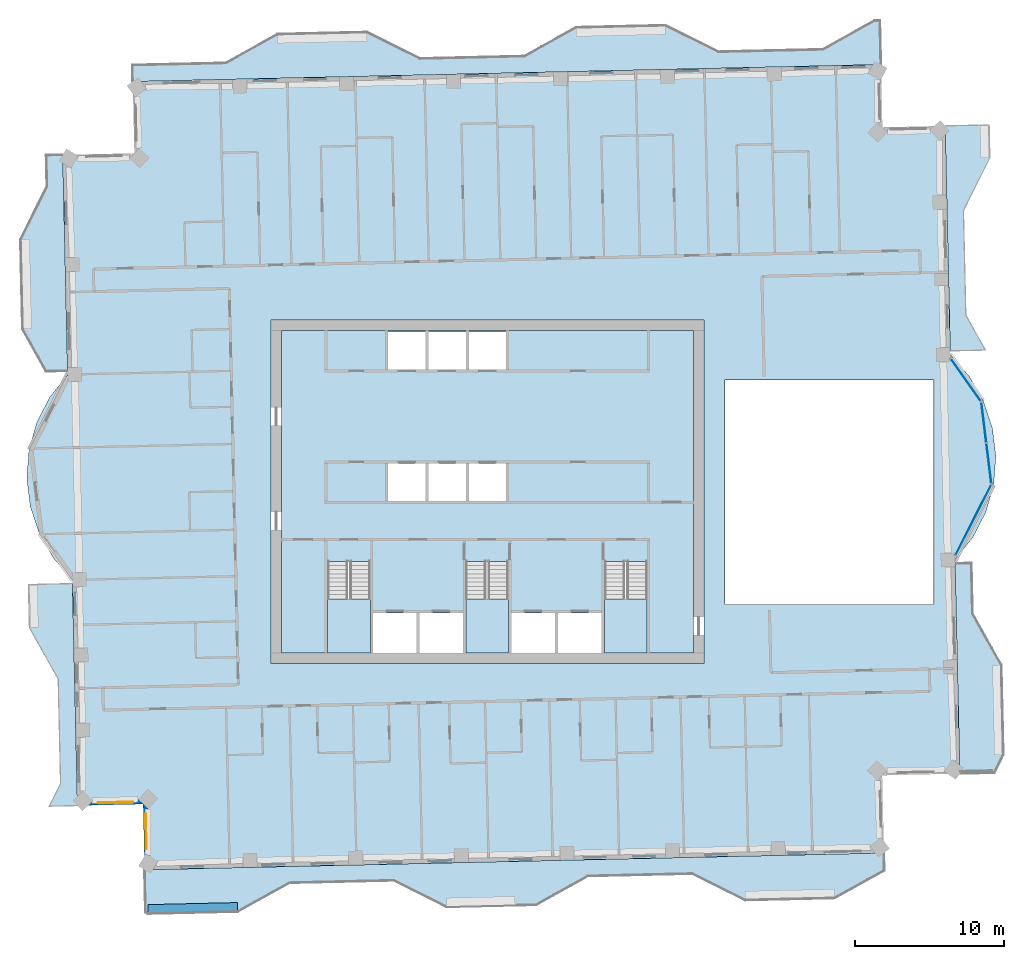
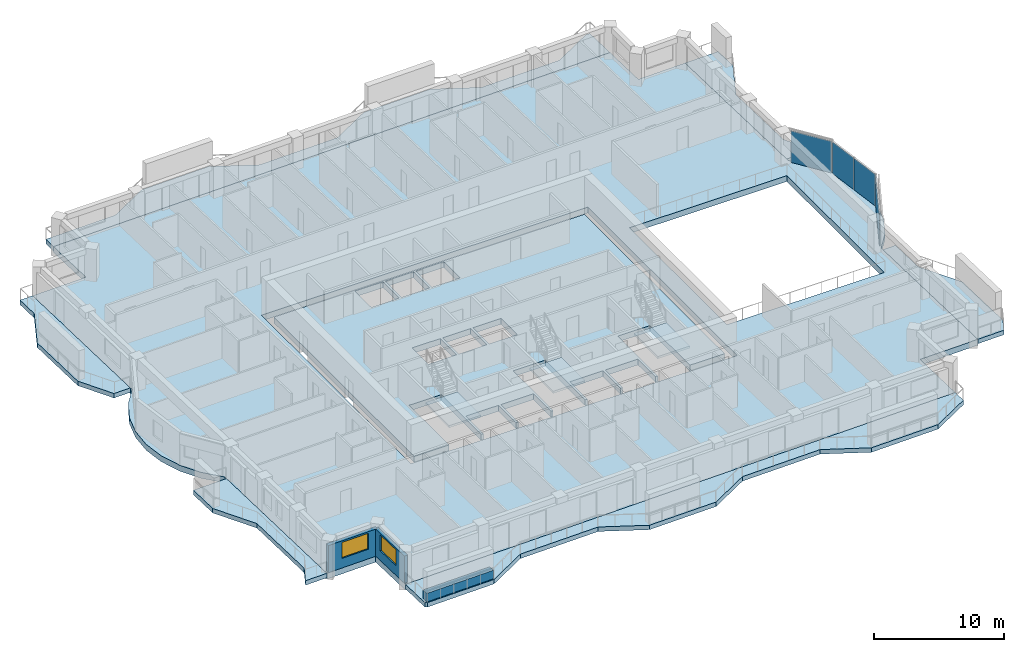
# One storey, part 7 of 19: 11 slabs, 4 plates, 3 walls, 2 windows, 2 openings, 6 elements without a shape of their own.
"""IFC4 building model written with IfcOpenShell, lengths in metres."""

from ifc_helpers import new_model, si_unit, direction, frame, frame_2d, origin, origin_2d, place, context, subcontext, project, spatial, polyline, rectangle, outline, extrude, material, layer, layer_set, type_object, element, fill, aggregate, save


model = new_model("IFC4")

# Units and contexts
model_context = context("Model", 3, precision=1e-05, world=origin(), true_north=direction((0.0, 1.0)))
body_context = subcontext(model_context, "Body", "Model", "MODEL_VIEW")
ifc_project = project(units=[si_unit("LENGTHUNIT", "METRE"), si_unit("AREAUNIT", "SQUARE_METRE"), si_unit("VOLUMEUNIT", "CUBIC_METRE"), si_unit("PLANEANGLEUNIT", "RADIAN"), si_unit("MASSUNIT", "GRAM", prefix="KILO")], contexts=[model_context])

# Site, building, storey
site_placement = place(None, origin())
site = spatial("IfcSite", under=ifc_project, at=site_placement, CompositionType="ELEMENT")
building_placement = place(site_placement, origin())
building = spatial("IfcBuilding", under=site, at=building_placement, Name="Mangrove Gate Tower", CompositionType="ELEMENT")
storey_placement = place(building_placement, frame((0.0, 0.0, 283.5)))
storey = spatial("IfcBuildingStorey", under=building, at=storey_placement, Name="L72", CompositionType="ELEMENT", Elevation=283.5)

# Curtain wall, plate
ifc_material_1 = material(Name="Aluminium and glass curtain wall", Category="aluminium")
curtain_wall_type = type_object("IfcCurtainWallType", Name="Atrium garden-court glazing wall", PredefinedType="NOTDEFINED", material=ifc_material_1)
curtain_wall_1_placement = place(storey_placement, origin())
curtain_wall_1 = element("IfcCurtainWall", 1, at=curtain_wall_1_placement, inside=storey, type_object=curtain_wall_type, Name="Atrium garden-court glazing E1f1", PredefinedType="NOTDEFINED")
ifc_material_2 = material(Name="Laminated low-e glass", Category="glass")
ifc_layer_1 = layer(ifc_material_2, 0.031982421875)
ifc_layer_set_1 = layer_set([ifc_layer_1], Name="Atrium garden-court glazing panel 32")
plate_type = type_object("IfcPlateType", Name="Atrium garden-court glazing panel 32", PredefinedType="CURTAIN_PANEL", material=ifc_layer_set_1)
plate_1_placement = place(storey_placement, frame((32.542236328125, -1.90087890625, 0.0), z_axis=(0.0, 0.0, 1.0), x_axis=(0.452617386511, 0.891704828644, 0.0)))
plate_1 = element("IfcPlate", 2, at=plate_1_placement, type_object=plate_type, Name="CWA panel 1.1", PredefinedType="CURTAIN_PANEL", context=body_context, shape_type="SweptSolid", body=[
    extrude(rectangle(XDim=5.258544921875, YDim=0.031982421875, at=origin_2d()), origin(), (0.0, 0.0, 1.0), 2.97998046875),
])
aggregate(curtain_wall_1, [plate_1])

# Curtain wall, plates
curtain_wall_2_placement = place(storey_placement, origin())
curtain_wall_2 = element("IfcCurtainWall", 3, at=curtain_wall_2_placement, inside=storey, type_object=curtain_wall_type, Name="Atrium garden-court glazing E1f2", PredefinedType="NOTDEFINED")
plate_2_placement = place(storey_placement, frame((33.591552734375, 1.90625, 0.0), z_axis=(0.0, 0.0, 1.0), x_axis=(-0.122172285885, 0.992508908051, 0.0)))
plate_2 = element("IfcPlate", 4, at=plate_2_placement, type_object=plate_type, Name="CWA panel 1.1", PredefinedType="CURTAIN_PANEL", context=body_context, shape_type="SweptSolid", body=[
    extrude(rectangle(XDim=2.681640625, YDim=0.031982421875, at=origin_2d()), origin(), (0.0, 0.0, 1.0), 2.97998046875),
])
plate_3_placement = place(storey_placement, frame((33.25537109375, 4.637451171875, 0.0), z_axis=(0.0, 0.0, 1.0), x_axis=(-0.122172285885, 0.992508908051, 0.0)))
plate_3 = element("IfcPlate", 5, at=plate_3_placement, type_object=plate_type, Name="CWA panel 2.1", PredefinedType="CURTAIN_PANEL", context=body_context, shape_type="SweptSolid", body=[
    extrude(rectangle(XDim=2.681640625, YDim=0.031982421875, at=origin_2d()), origin(), (0.0, 0.0, 1.0), 2.97998046875),
])
aggregate(curtain_wall_2, [plate_2, plate_3])

# Curtain wall, plate
curtain_wall_3_placement = place(storey_placement, origin())
curtain_wall_3 = element("IfcCurtainWall", 6, at=curtain_wall_3_placement, inside=storey, type_object=curtain_wall_type, Name="Atrium garden-court glazing E1f3", PredefinedType="NOTDEFINED")
plate_4_placement = place(storey_placement, frame((32.05126953125, 7.493896484375, 0.0), z_axis=(0.0, 0.0, 1.0), x_axis=(-0.578135022674, 0.815941110349, 0.0)))
plate_4 = element("IfcPlate", 7, at=plate_4_placement, type_object=plate_type, Name="CWA panel 1.1", PredefinedType="CURTAIN_PANEL", context=body_context, shape_type="SweptSolid", body=[
    extrude(rectangle(XDim=3.42919921875, YDim=0.031982421875, at=origin_2d()), origin(), (0.0, 0.0, 1.0), 2.97998046875),
])
aggregate(curtain_wall_3, [plate_4])

# Slabs
ifc_material_3 = material(Name="Porcelain tile")
ifc_layer_2 = layer(ifc_material_3, 0.02001953125, Name="Tile finish")
ifc_material_4 = material(Name="Cement sand screed")
ifc_layer_3 = layer(ifc_material_4, 0.0400390625, Name="Screed laid to falls")
ifc_material_5 = material(Name="Bituminous waterproofing membrane")
ifc_layer_4 = layer(ifc_material_5, 0.00390625, Name="Waterproofing")
ifc_material_6 = material(Name="Concrete C40/50", Category="concrete")
ifc_layer_5 = layer(ifc_material_6, 0.340087890625, Name="Balcony structural slab")
ifc_material_7 = material(Name="Limestone", Category="masonry")
ifc_layer_6 = layer(ifc_material_7, 0.01611328125, Name="Soffit lining")
ifc_layer_set_2 = layer_set([ifc_layer_2, ifc_layer_3, ifc_layer_4, ifc_layer_5, ifc_layer_6], Name="Balcony slab 420 C40/50")
slab_type_1 = type_object("IfcSlabType", Name="Balcony slab 420 C40/50", PredefinedType="FLOOR", material=ifc_layer_set_2)
slab_1_placement = place(storey_placement, frame((0.0, 0.0, -0.419921875)))
element("IfcSlab", 8, at=slab_1_placement, inside=storey, type_object=slab_type_1, Name="BALCONY L72 E0", PredefinedType="FLOOR", context=body_context, shape_type="SweptSolid", body=[
    extrude(outline(polyline([(33.99609375, -18.820068359375), (34.60302734375, -17.60595703125), (34.467041015625, -11.60791015625), (32.5380859375, -8.15087890625), (32.4619140625, -4.777099609375), (31.322021484375, -4.802978515625), (31.39892578125, -8.176025390625), (31.47802734375, -11.676025390625), (31.614013671875, -17.674072265625), (31.64111328125, -18.8740234375), (33.99609375, -18.820068359375)])), origin(), (0.0, 0.0, 1.0), 0.419921875),
])
slab_2_placement = place(storey_placement, frame((0.0, 0.0, -0.419921875)))
element("IfcSlab", 9, at=slab_2_placement, inside=storey, type_object=slab_type_1, Name="BALCONY L72 E1", PredefinedType="FLOOR", context=body_context, shape_type="SweptSolid", body=[
    extrude(outline(polyline([(33.39306640625, 9.4990234375), (32.0849609375, 11.843994140625), (31.926025390625, 18.842041015625), (33.696044921875, 22.384033203125), (33.64599609375, 24.5830078125), (30.656982421875, 24.514892578125), (30.70703125, 22.31591796875), (30.785888671875, 18.81689453125), (30.945068359375, 11.818115234375), (30.9990234375, 9.444091796875), (33.39306640625, 9.4990234375)])), origin(), (0.0, 0.0, 1.0), 0.419921875),
])
slab_3_placement = place(storey_placement, frame((0.0, 0.0, -0.419921875)))
element("IfcSlab", 10, at=slab_3_placement, inside=storey, type_object=slab_type_1, Name="BALCONY L72 N0", PredefinedType="FLOOR", context=body_context, shape_type="SweptSolid", body=[
    extrude(outline(polyline([(26.294921875, 31.60791015625), (25.927001953125, 31.60009765625), (22.469970703125, 29.6708984375), (15.470947265625, 29.511962890625), (11.929931640625, 31.281982421875), (5.931884765625, 31.14599609375), (2.47509765625, 29.217041015625), (-4.52294921875, 29.05908203125), (-8.06396484375, 30.827880859375), (-14.06298828125, 30.69189453125), (-17.52001953125, 28.762939453125), (-23.785888671875, 28.62109375), (-23.760986328125, 27.48095703125), (-4.498046875, 27.91796875), (6.0, 28.156982421875), (26.363037109375, 28.618896484375), (26.294921875, 31.60791015625)])), origin(), (0.0, 0.0, 1.0), 0.419921875),
])
slab_4_placement = place(storey_placement, frame((0.0, 0.0, -0.419921875)))
element("IfcSlab", 11, at=slab_4_placement, inside=storey, type_object=slab_type_1, Name="BALCONY L72 W0", PredefinedType="FLOOR", context=body_context, shape_type="SweptSolid", body=[
    extrude(outline(polyline([(-29.590087890625, 22.548095703125), (-29.5419921875, 20.447998046875), (-31.31298828125, 16.906982421875), (-31.176025390625, 10.908935546875), (-29.592041015625, 8.069091796875), (-28.1220703125, 8.10302734375), (-28.18701171875, 10.97705078125), (-28.322998046875, 16.97509765625), (-28.403076171875, 20.47412109375), (-28.449951171875, 22.573974609375), (-29.590087890625, 22.548095703125)])), origin(), (0.0, 0.0, 1.0), 0.419921875),
])
slab_5_placement = place(storey_placement, frame((0.0, 0.0, -0.419921875)))
element("IfcSlab", 12, at=slab_5_placement, inside=storey, type_object=slab_type_1, Name="BALCONY L72 W1", PredefinedType="FLOOR", context=body_context, shape_type="SweptSolid", body=[
    extrude(outline(polyline([(-30.7880859375, -6.2119140625), (-30.722900390625, -9.0859375), (-28.7939453125, -12.54296875), (-28.635009765625, -19.541015625), (-29.39404296875, -21.05908203125), (-27.4609375, -21.014892578125), (-27.4951171875, -19.51611328125), (-27.654052734375, -12.51708984375), (-27.73388671875, -9.01806640625), (-27.799072265625, -6.14404296875), (-30.7880859375, -6.2119140625)])), origin(), (0.0, 0.0, 1.0), 0.419921875),
])
slab_6_placement = place(storey_placement, frame((0.0, 0.0, -0.419921875)))
element("IfcSlab", 13, at=slab_6_placement, inside=storey, type_object=slab_type_1, Name="BALCONY L72 S0", PredefinedType="FLOOR", context=body_context, shape_type="SweptSolid", body=[
    extrude(outline(polyline([(-22.89697265625, -28.215087890625), (-22.72705078125, -28.300048828125), (-16.72802734375, -28.1630859375), (-13.27099609375, -26.235107421875), (-6.27294921875, -26.075927734375), (-2.73193359375, -27.845947265625), (3.26708984375, -27.7099609375), (6.72412109375, -25.781005859375), (13.721923828125, -25.623046875), (17.262939453125, -27.39208984375), (23.260986328125, -27.256103515625), (26.587890625, -25.39990234375), (26.56103515625, -24.18994140625), (1.799072265625, -24.751953125), (-2.800048828125, -24.85693359375), (-22.962890625, -25.31396484375), (-22.89697265625, -28.215087890625)])), origin(), (0.0, 0.0, 1.0), 0.419921875),
])
ifc_material_8 = material(Name="Concrete C40/50", Category="concrete")
ifc_layer_7 = layer(ifc_material_8, 0.550048828125)
ifc_layer_set_3 = layer_set([ifc_layer_7], Name="Core floor slab 550 C40/50")
slab_type_2 = type_object("IfcSlabType", Name="Core floor slab 550 C40/50", PredefinedType="FLOOR", material=ifc_layer_set_3)
slab_7_placement = place(storey_placement, frame((0.0, 0.0, -0.550048828125)))
element("IfcSlab", 14, at=slab_7_placement, inside=storey, type_object=slab_type_2, Name="SLAB-L72-CORE-1", PredefinedType="FLOOR", context=body_context, shape_type="SweptSolid", body=[
    extrude(outline(polyline([(-13.800048828125, -10.800048828125), (-13.800048828125, 10.800048828125), (13.800048828125, 10.800048828125), (13.800048828125, -10.800048828125), (10.699951171875, -10.800048828125), (10.699951171875, -4.653076171875), (7.85009765625, -4.653076171875), (7.85009765625, -10.800048828125), (7.64990234375, -10.800048828125), (7.64990234375, -8.10009765625), (4.72509765625, -8.10009765625), (4.72509765625, -10.800048828125), (4.52490234375, -10.800048828125), (4.52490234375, -8.10009765625), (1.60009765625, -8.10009765625), (1.60009765625, -10.800048828125), (1.39990234375, -10.800048828125), (1.39990234375, -4.653076171875), (-1.449951171875, -4.653076171875), (-1.449951171875, -10.800048828125), (-1.64990234375, -10.800048828125), (-1.64990234375, -8.10009765625), (-4.550048828125, -8.10009765625), (-4.550048828125, -10.800048828125), (-4.75, -10.800048828125), (-4.75, -8.10009765625), (-7.64990234375, -8.10009765625), (-7.64990234375, -10.800048828125), (-7.85009765625, -10.800048828125), (-7.85009765625, -4.653076171875), (-10.699951171875, -4.653076171875), (-10.699951171875, -10.800048828125), (-13.800048828125, -10.800048828125)]), holes=[polyline([(-4.14990234375, 1.89990234375), (-6.64990234375, 1.89990234375), (-6.64990234375, -0.60009765625), (-4.14990234375, -0.60009765625), (-4.14990234375, 1.89990234375)]), polyline([(-1.449951171875, -0.60009765625), (-1.449951171875, 1.89990234375), (-3.949951171875, 1.89990234375), (-3.949951171875, -0.60009765625), (-1.449951171875, -0.60009765625)]), polyline([(-4.14990234375, 8.199951171875), (-4.14990234375, 10.699951171875), (-6.64990234375, 10.699951171875), (-6.64990234375, 8.199951171875), (-4.14990234375, 8.199951171875)]), polyline([(-1.449951171875, 10.699951171875), (-3.949951171875, 10.699951171875), (-3.949951171875, 8.199951171875), (-1.449951171875, 8.199951171875), (-1.449951171875, 10.699951171875)]), polyline([(1.25, -0.60009765625), (1.25, 1.89990234375), (-1.25, 1.89990234375), (-1.25, -0.60009765625), (1.25, -0.60009765625)]), polyline([(1.25, 8.199951171875), (1.25, 10.699951171875), (-1.25, 10.699951171875), (-1.25, 8.199951171875), (1.25, 8.199951171875)])]), origin(), (0.0, 0.0, 1.0), 0.550048828125),
])

# Stair, slab
ifc_material_9 = material(Name="Concrete C40/50", Category="concrete")
stair_type = type_object("IfcStairType", Name="Core stair 1350", PredefinedType="HALF_TURN_STAIR", material=ifc_material_9)
stair_1_placement = place(storey_placement, origin())
stair_1 = element("IfcStair", 15, at=stair_1_placement, inside=storey, type_object=stair_type, Name="L72 Stair 1", PredefinedType="HALF_TURN_STAIR")
ifc_material_10 = material(Name="Concrete C40/50", Category="concrete")
ifc_layer_8 = layer(ifc_material_10, 0.199951171875)
ifc_layer_set_4 = layer_set([ifc_layer_8], Name="Core stair landing 200")
slab_type_3 = type_object("IfcSlabType", Name="Core stair landing 200", PredefinedType="LANDING", material=ifc_layer_set_4)
slab_8_placement = place(storey_placement, frame((0.0, 0.0, 1.60009765625)))
slab_8 = element("IfcSlab", 16, at=slab_8_placement, type_object=slab_type_3, Name="ST1 landing 1", PredefinedType="LANDING", context=body_context, shape_type="SweptSolid", body=[
    extrude(outline(polyline([(-10.699951171875, -7.169921875), (-10.699951171875, -10.800048828125), (-7.85009765625, -10.800048828125), (-7.85009765625, -7.169921875), (-10.699951171875, -7.169921875)])), origin(), (0.0, 0.0, 1.0), 0.199951171875),
])
aggregate(stair_1, [slab_8])

stair_2_placement = place(storey_placement, origin())
stair_2 = element("IfcStair", 17, at=stair_2_placement, inside=storey, type_object=stair_type, Name="L72 Stair 2", PredefinedType="HALF_TURN_STAIR")
slab_9_placement = place(storey_placement, frame((0.0, 0.0, 1.60009765625)))
slab_9 = element("IfcSlab", 18, at=slab_9_placement, type_object=slab_type_3, Name="ST2 landing 1", PredefinedType="LANDING", context=body_context, shape_type="SweptSolid", body=[
    extrude(outline(polyline([(-1.449951171875, -7.169921875), (-1.449951171875, -10.800048828125), (1.39990234375, -10.800048828125), (1.39990234375, -7.169921875), (-1.449951171875, -7.169921875)])), origin(), (0.0, 0.0, 1.0), 0.199951171875),
])
aggregate(stair_2, [slab_9])

stair_3_placement = place(storey_placement, origin())
stair_3 = element("IfcStair", 19, at=stair_3_placement, inside=storey, type_object=stair_type, Name="L72 Stair 3", PredefinedType="HALF_TURN_STAIR")
slab_10_placement = place(storey_placement, frame((0.0, 0.0, 1.60009765625)))
slab_10 = element("IfcSlab", 20, at=slab_10_placement, type_object=slab_type_3, Name="ST3 landing 1", PredefinedType="LANDING", context=body_context, shape_type="SweptSolid", body=[
    extrude(outline(polyline([(7.85009765625, -7.169921875), (7.85009765625, -10.800048828125), (10.699951171875, -10.800048828125), (10.699951171875, -7.169921875), (7.85009765625, -7.169921875)])), origin(), (0.0, 0.0, 1.0), 0.199951171875),
])
aggregate(stair_3, [slab_10])

# Slab
ifc_material_11 = material(Name="Concrete C40/50", Category="concrete")
ifc_layer_9 = layer(ifc_material_11, 0.550048828125)
ifc_layer_set_5 = layer_set([ifc_layer_9], Name="Floor slab 550 C40/50")
slab_type_4 = type_object("IfcSlabType", Name="Floor slab 550 C40/50", PredefinedType="FLOOR", material=ifc_layer_set_5)
slab_11_placement = place(storey_placement, frame((0.0, 0.0, -0.550048828125)))
element("IfcSlab", 21, at=slab_11_placement, inside=storey, type_object=slab_type_4, Name="Floor slab L72", PredefinedType="FLOOR", context=body_context, shape_type="SweptSolid", body=[
    extrude(outline(polyline([(-22.962646484375, -25.314208984375), (26.560791015625, -24.1904296875), (26.442626953125, -18.99169921875), (31.641357421875, -18.873779296875), (31.31640625, -4.552734375), (32.512939453125, -3.060302734375), (33.389892578125, -1.360595703125), (33.912353515625, 0.4794921875), (34.0595703125, 2.38671875), (33.825927734375, 4.28515625), (33.220458984375, 6.099365234375), (32.267333984375, 7.7578125), (31.00439453125, 9.1943359375), (30.65673828125, 24.51513671875), (26.457763671875, 24.419921875), (26.362548828125, 28.61865234375), (-23.760498046875, 27.481201171875), (-23.651611328125, 22.6826171875), (-28.450439453125, 22.57373046875), (-28.116455078125, 7.852783203125), (-29.31298828125, 6.3603515625), (-30.18994140625, 4.660400390625), (-30.71240234375, 2.820556640625), (-30.859619140625, 0.913330078125), (-30.6259765625, -0.985107421875), (-30.0205078125, -2.799560546875), (-29.0673828125, -4.457763671875), (-27.804443359375, -5.894287109375), (-27.461181640625, -21.01513671875), (-23.0625, -20.915283203125), (-22.962646484375, -25.314208984375)]), holes=[polyline([(15.89990234375, 7.5), (29.889892578125, 7.5), (29.889892578125, -7.5), (15.89990234375, -7.5), (15.89990234375, 7.5)]), polyline([(-14.5, -11.5), (-14.5, 11.5), (14.5, 11.5), (14.5, -11.5), (-14.5, -11.5)])]), origin(), (0.0, 0.0, 1.0), 0.550048828125),
])

# Wall, opening, window
ifc_layer_10 = layer(ifc_material_7, 0.0400390625, Name="Limestone cladding")
ifc_material_12 = material(Name="Ventilated air gap")
ifc_layer_11 = layer(ifc_material_12, 0.0400390625, Name="Ventilated cavity")
ifc_material_13 = material(Name="Mineral wool insulation")
ifc_layer_12 = layer(ifc_material_13, 0.06005859375, Name="Insulation")
ifc_material_14 = material(Name="Breather membrane")
ifc_layer_13 = layer(ifc_material_14, 0.001953125, Name="Breather membrane")
ifc_material_15 = material(Name="Concrete C20/25 blockwork", Category="masonry")
ifc_layer_14 = layer(ifc_material_15, 0.14990234375, Name="Blockwork backing wall")
ifc_material_16 = material(Name="Gypsum plaster")
ifc_layer_15 = layer(ifc_material_16, 0.008056640625, Name="Internal plaster")
ifc_layer_set_6 = layer_set([ifc_layer_10, ifc_layer_11, ifc_layer_12, ifc_layer_13, ifc_layer_14, ifc_layer_15], Name="External wall 300 limestone cladding")
wall_type_1 = type_object("IfcWallType", Name="External wall 300 limestone cladding", PredefinedType="SOLIDWALL", material=ifc_layer_set_6)
wall_1_placement = place(storey_placement, frame((-27.31494140625, -20.862060546875, 0.0), z_axis=(0.0, 0.0, 1.0), x_axis=(0.999741204967, 0.022749133868, 0.0)))
wall_1 = element("IfcWall", 22, at=wall_1_placement, inside=storey, type_object=wall_type_1, Name="WALL-L72-S11", PredefinedType="SOLIDWALL", context=body_context, shape_type="SweptSolid", body=[
    extrude(rectangle(XDim=4.400146484375, YDim=0.300048828125, at=frame_2d((2.2001953125, 0.0))), origin(), (0.0, 0.0, 1.0), 2.550048828125),
])
opening_1_placement = place(wall_1_placement, frame((1.196044921875, 0.0, 0.89990234375)))
opening_1 = element("IfcOpeningElement", 23, at=opening_1_placement, cuts=wall_1, Name="Opening W2", PredefinedType="OPENING", context=body_context, shape_type="SweptSolid", body=[
    extrude(rectangle(XDim=2.39990234375, YDim=1.5, at=frame_2d((1.199951171875, 0.75))), frame((0.0, 0.159912109375, 0.0), z_axis=(0.0, -1.0, 0.0), x_axis=(1.0, 0.0, 0.0)), (0.0, 0.0, 1.0), 0.320068359375),
])
ifc_material_17 = material(Name="Aluminium frame with double-glazed low-e glass", Category="aluminium")
window_type = type_object("IfcWindowType", Name="Corner room window 2400x1500", PartitioningType="DOUBLE_PANEL_VERTICAL", PredefinedType="WINDOW", material=ifc_material_17)
window_1_placement = place(opening_1_placement, origin())
window_1 = element("IfcWindow", 24, at=window_1_placement, inside=storey, type_object=window_type, Name="WIN-L72-S11-1", OverallHeight=1.5, OverallWidth=2.39990234375, PartitioningType="DOUBLE_PANEL_VERTICAL", PredefinedType="WINDOW", context=body_context, shape_type="SweptSolid", body=[
    extrude(rectangle(XDim=2.39990234375, YDim=1.5, at=frame_2d((1.199951171875, 0.75))), frame((0.0, 0.030029296875, 0.0), z_axis=(0.0, -1.0, 0.0), x_axis=(1.0, 0.0, 0.0)), (0.0, 0.0, 1.0), 0.06005859375),
])
fill(opening_1, window_1)

wall_2_placement = place(storey_placement, frame((-22.916015625, -20.761962890625, 0.0), z_axis=(0.0, 0.0, 1.0), x_axis=(0.022749133868, -0.999741204967, 0.0)))
wall_2 = element("IfcWall", 25, at=wall_2_placement, inside=storey, type_object=wall_type_1, Name="WALL-L72-W12", PredefinedType="SOLIDWALL", context=body_context, shape_type="SweptSolid", body=[
    extrude(rectangle(XDim=4.400146484375, YDim=0.300048828125, at=frame_2d((2.2001953125, 0.0))), origin(), (0.0, 0.0, 1.0), 2.550048828125),
])
opening_2_placement = place(wall_2_placement, frame((0.7890625, 0.0, 0.89990234375)))
opening_2 = element("IfcOpeningElement", 26, at=opening_2_placement, cuts=wall_2, Name="Opening W2", PredefinedType="OPENING", context=body_context, shape_type="SweptSolid", body=[
    extrude(rectangle(XDim=2.39990234375, YDim=1.5, at=frame_2d((1.199951171875, 0.75))), frame((0.0, 0.159912109375, 0.0), z_axis=(0.0, -1.0, 0.0), x_axis=(1.0, 0.0, 0.0)), (0.0, 0.0, 1.0), 0.320068359375),
])
window_2_placement = place(opening_2_placement, origin())
window_2 = element("IfcWindow", 27, at=window_2_placement, inside=storey, type_object=window_type, Name="WIN-L72-W12-1", OverallHeight=1.5, OverallWidth=2.39990234375, PartitioningType="DOUBLE_PANEL_VERTICAL", PredefinedType="WINDOW", context=body_context, shape_type="SweptSolid", body=[
    extrude(rectangle(XDim=2.39990234375, YDim=1.5, at=frame_2d((1.199951171875, 0.75))), frame((0.0, 0.030029296875, 0.0), z_axis=(0.0, -1.0, 0.0), x_axis=(1.0, 0.0, 0.0)), (0.0, 0.0, 1.0), 0.06005859375),
])
fill(opening_2, window_2)

# Wall
ifc_material_18 = material(Name="Concrete C32/40", Category="concrete")
ifc_layer_16 = layer(ifc_material_18, 0.199951171875, Name="Planter trough wall")
ifc_layer_17 = layer(ifc_material_5, 0.0048828125, Name="Waterproofing")
ifc_material_19 = material(Name="Drainage board and gravel")
ifc_layer_18 = layer(ifc_material_19, 0.044921875, Name="Drainage layer")
ifc_material_20 = material(Name="Planting soil")
ifc_layer_19 = layer(ifc_material_20, 0.300048828125, Name="Growing medium")
ifc_layer_set_7 = layer_set([ifc_layer_16, ifc_layer_17, ifc_layer_18, ifc_layer_19], Name="Planter wall 550 C32/40")
wall_type_2 = type_object("IfcWallType", Name="Planter wall 550 C32/40", PredefinedType="USERDEFINED", material=ifc_layer_set_7)
wall_3_placement = place(storey_placement, frame((-22.735107421875, -27.925048828125, 0.0), z_axis=(0.0, 0.0, 1.0), x_axis=(0.999743094499, 0.022665943652, 0.0)))
element("IfcWall", 28, at=wall_3_placement, inside=storey, type_object=wall_type_2, Name="PLANTER L72 S0.1", ObjectType="PLANTER", PredefinedType="USERDEFINED", context=body_context, shape_type="SweptSolid", body=[
    extrude(rectangle(XDim=5.99951171875, YDim=0.550048828125, at=frame_2d((2.999755859375, 0.0))), origin(), (0.0, 0.0, 1.0), 0.800048828125),
])

save(model, "model.ifc")
